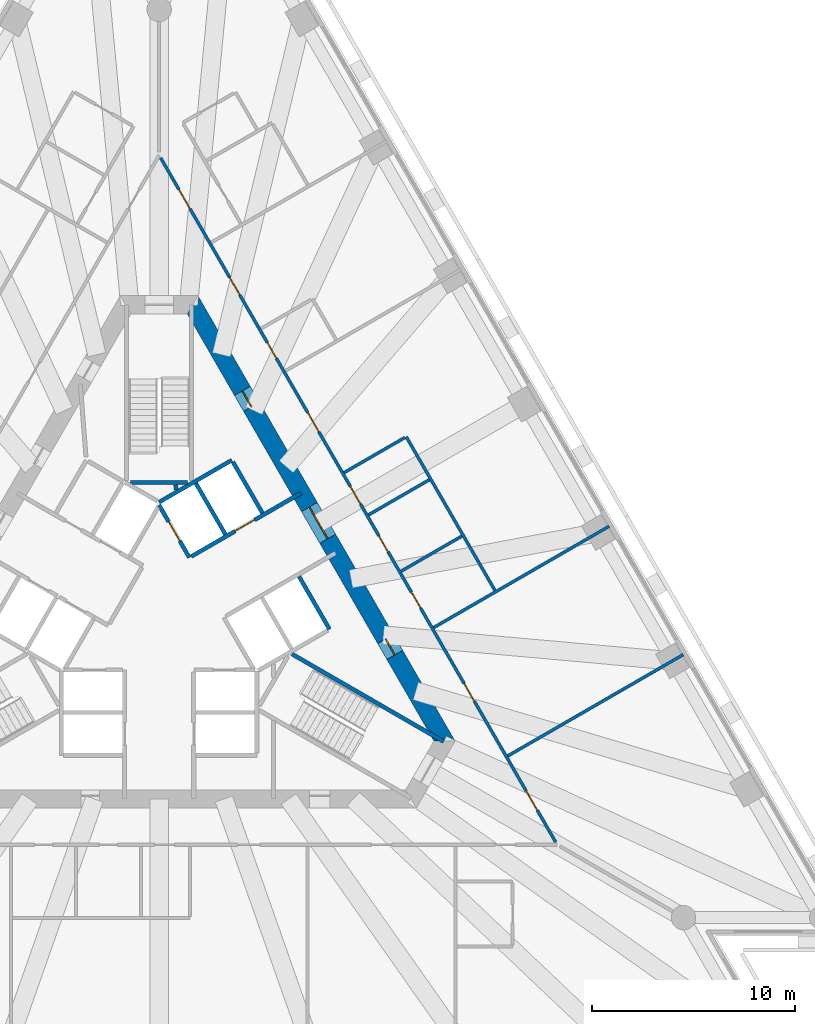
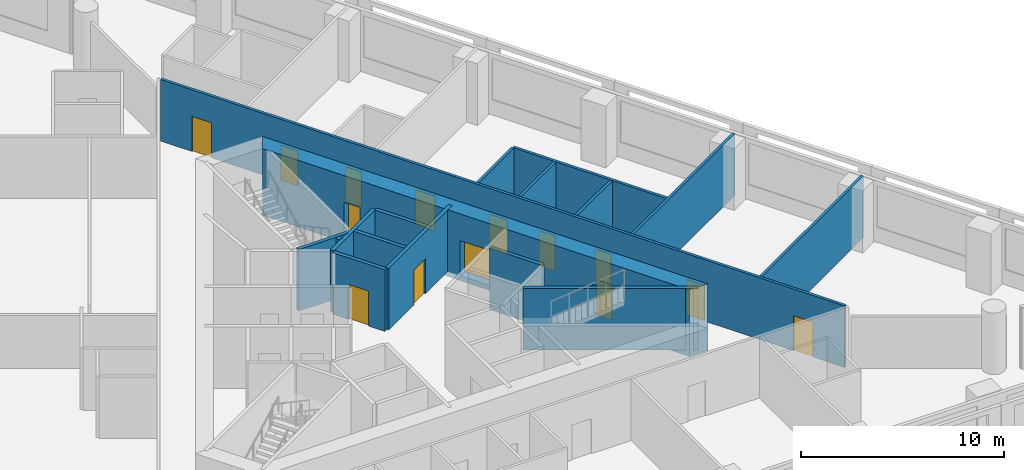
# One storey, part 6 of 11: 17 walls, 14 doors, 14 openings.
"""IFC4 building model written with IfcOpenShell, lengths in metres."""

from ifc_helpers import new_model, si_unit, direction, frame, frame_2d, origin, place, context, subcontext, project, spatial, polyline, rectangle, outline, extrude, material, layer, layer_set, type_object, element, fill, save


model = new_model("IFC4")

# Units and contexts
model_context = context("Model", 3, precision=1e-05, world=origin(), true_north=direction((0.0, 1.0)))
body_context = subcontext(model_context, "Body", "Model", "MODEL_VIEW")
ifc_project = project(units=[si_unit("LENGTHUNIT", "METRE"), si_unit("AREAUNIT", "SQUARE_METRE"), si_unit("VOLUMEUNIT", "CUBIC_METRE"), si_unit("PLANEANGLEUNIT", "RADIAN"), si_unit("MASSUNIT", "GRAM", prefix="KILO")], contexts=[model_context])

# Site, building, storey
site_placement = place(None, origin())
site = spatial("IfcSite", under=ifc_project, at=site_placement, CompositionType="ELEMENT")
building_placement = place(site_placement, origin())
building = spatial("IfcBuilding", under=site, at=building_placement, Name="Triada Interchange Tower", CompositionType="ELEMENT")
storey_placement = place(building_placement, frame((0.0, 0.0, 75.300048828125)))
storey = spatial("IfcBuildingStorey", under=building, at=storey_placement, Name="L16", CompositionType="ELEMENT", Elevation=75.300048828125)

# Wall
ifc_material_1 = material(Name="Concrete C30/37", Category="concrete")
ifc_layer_1 = layer(ifc_material_1, 0.199951171875)
ifc_layer_set_1 = layer_set([ifc_layer_1], Name="CORE WALL 200 EI 120")
wall_type_1 = type_object("IfcWallType", Name="CORE WALL 200 EI 120", PredefinedType="SOLIDWALL", material=ifc_layer_set_1)
wall_1_placement = place(storey_placement, frame((-0.001953125, 5.541015625, 0.0), z_axis=(0.0, 0.0, 1.0), x_axis=(0.86600155993, 0.500041296494, 0.0)))
element("IfcWall", 1, at=wall_1_placement, inside=storey, type_object=wall_type_1, Name="Wall L15 62", PredefinedType="SOLIDWALL", context=body_context, shape_type="SweptSolid", body=[
    extrude(rectangle(XDim=4.131591796875, YDim=0.199951171875, at=frame_2d((2.06591796875, 0.0))), origin(), (0.0, 0.0, 1.0), 3.699951171875),
])

# Wall, opening, door
wall_2_placement = place(storey_placement, frame((0.0, 5.39990234375, 0.0), z_axis=(0.0, 0.0, 1.0), x_axis=(0.500103862429, -0.865965430478, 0.0)))
wall_2 = element("IfcWall", 2, at=wall_2_placement, inside=storey, type_object=wall_type_1, Name="Wall L15 63", PredefinedType="SOLIDWALL", context=body_context, shape_type="SweptSolid", body=[
    extrude(rectangle(XDim=2.973388671875, YDim=0.199951171875, at=frame_2d((1.48681640625, 0.0))), origin(), (0.0, 0.0, 1.0), 3.699951171875),
])
opening_1_placement = place(wall_2_placement, frame((0.93701171875, 0.0, 0.0)))
opening_1 = element("IfcOpeningElement", 3, at=opening_1_placement, cuts=wall_2, Name="Opening LD-LR5", PredefinedType="OPENING", context=body_context, shape_type="SweptSolid", body=[
    extrude(rectangle(XDim=1.10009765625, YDim=2.10009765625, at=frame_2d((0.550048828125, 1.050048828125))), frame((0.0, 0.10986328125, 0.0), z_axis=(0.0, -1.0, 0.0), x_axis=(1.0, 0.0, 0.0)), (0.0, 0.0, 1.0), 0.219970703125),
])
ifc_material_2 = material(Name="Steel S235 door leaf", Category="steel")
door_type_1 = type_object("IfcDoorType", Name="LIFT LANDING DOOR 1100 EI 120", OperationType="SLIDING_TO_LEFT", PredefinedType="DOOR", material=ifc_material_2)
door_1_placement = place(opening_1_placement, origin())
door_1 = element("IfcDoor", 4, at=door_1_placement, inside=storey, type_object=door_type_1, Name="LR5 landing door L16", OperationType="SLIDING_TO_LEFT", OverallHeight=2.10009765625, OverallWidth=1.10009765625, PredefinedType="DOOR", context=body_context, shape_type="SweptSolid", body=[
    extrude(rectangle(XDim=1.10009765625, YDim=2.10009765625, at=frame_2d((0.550048828125, 1.050048828125))), frame((0.0, 0.02490234375, 0.0), z_axis=(0.0, -1.0, 0.0), x_axis=(1.0, 0.0, 0.0)), (0.0, 0.0, 1.0), 0.050048828125),
])
fill(opening_1, door_1)

wall_3_placement = place(storey_placement, frame((1.577880859375, 2.8740234375, 0.0), z_axis=(0.0, 0.0, 1.0), x_axis=(0.866031483044, 0.499989470266, 0.0)))
wall_3 = element("IfcWall", 5, at=wall_3_placement, inside=storey, type_object=wall_type_1, Name="Wall L15 65", PredefinedType="SOLIDWALL", context=body_context, shape_type="SweptSolid", body=[
    extrude(rectangle(XDim=6.226318359375, YDim=0.199951171875, at=frame_2d((3.11328125, 0.0))), origin(), (0.0, 0.0, 1.0), 3.699951171875),
])
opening_2_placement = place(wall_3_placement, frame((2.49609375, 0.0, 0.0)))
opening_2 = element("IfcOpeningElement", 6, at=opening_2_placement, cuts=wall_3, Name="Opening LD-LR6", PredefinedType="OPENING", context=body_context, shape_type="SweptSolid", body=[
    extrude(rectangle(XDim=1.10009765625, YDim=2.10009765625, at=frame_2d((0.550048828125, 1.050048828125))), frame((0.0, 0.10986328125, 0.0), z_axis=(0.0, -1.0, 0.0), x_axis=(1.0, 0.0, 0.0)), (0.0, 0.0, 1.0), 0.219970703125),
])
door_2_placement = place(opening_2_placement, origin())
door_2 = element("IfcDoor", 7, at=door_2_placement, inside=storey, type_object=door_type_1, Name="LR6 landing door L16", OperationType="SLIDING_TO_LEFT", OverallHeight=2.10009765625, OverallWidth=1.10009765625, PredefinedType="DOOR", context=body_context, shape_type="SweptSolid", body=[
    extrude(rectangle(XDim=1.10009765625, YDim=2.10009765625, at=frame_2d((0.550048828125, 1.050048828125))), frame((0.0, 0.02490234375, 0.0), z_axis=(0.0, -1.0, 0.0), x_axis=(1.0, 0.0, 0.0)), (0.0, 0.0, 1.0), 0.050048828125),
])
fill(opening_2, door_2)

# Walls
wall_4_placement = place(storey_placement, frame((3.6259765625, 7.52001953125, 0.0), z_axis=(0.0, 0.0, 1.0), x_axis=(0.500060147554, -0.865990674793, 0.0)))
element("IfcWall", 8, at=wall_4_placement, inside=storey, type_object=wall_type_1, Name="Wall L15 69", PredefinedType="SOLIDWALL", context=body_context, shape_type="SweptSolid", body=[
    extrude(rectangle(XDim=2.899658203125, YDim=0.199951171875, at=frame_2d((1.44970703125, 0.0))), origin(), (0.0, 0.0, 1.0), 3.699951171875),
])
wall_5_placement = place(storey_placement, frame((6.8759765625, 1.89111328125, 0.0), z_axis=(0.0, 0.0, 1.0), x_axis=(0.499990139034, -0.866031096941, 0.0)))
element("IfcWall", 9, at=wall_5_placement, inside=storey, type_object=wall_type_1, Name="Wall L15 70", PredefinedType="SOLIDWALL", context=body_context, shape_type="SweptSolid", body=[
    extrude(rectangle(XDim=3.0, YDim=0.199951171875, at=frame_2d((1.5, 0.0))), origin(), (0.0, 0.0, 1.0), 3.699951171875),
])
wall_6_placement = place(storey_placement, frame((1.806884765625, 6.469970703125, 0.0), z_axis=(0.0, 0.0, 1.0), x_axis=(0.50012328804, -0.865954211699, 0.0)))
element("IfcWall", 10, at=wall_6_placement, inside=storey, type_object=wall_type_1, Name="Wall L15 71", PredefinedType="SOLIDWALL", context=body_context, shape_type="SweptSolid", body=[
    extrude(rectangle(XDim=2.899658203125, YDim=0.199951171875, at=frame_2d((1.44970703125, 0.0))), origin(), (0.0, 0.0, 1.0), 3.699951171875),
])
ifc_layer_2 = layer(ifc_material_1, 0.199951171875)
ifc_layer_set_2 = layer_set([ifc_layer_2], Name="CORE WALL 200 EI 90")
wall_type_2 = type_object("IfcWallType", Name="CORE WALL 200 EI 90", PredefinedType="SOLIDWALL", material=ifc_layer_set_2)
wall_7_placement = place(storey_placement, frame((0.81103515625, 6.39990234375, 0.0), z_axis=(0.0, 0.0, 1.0), x_axis=(0.076199063602, -0.997092624938, 0.0)))
element("IfcWall", 11, at=wall_7_placement, inside=storey, type_object=wall_type_2, Name="Wall L15 90", PredefinedType="SOLIDWALL", context=body_context, shape_type="SweptSolid", body=[
    extrude(rectangle(XDim=0.2626953125, YDim=0.199951171875, at=frame_2d((0.13134765625, 0.0))), origin(), (0.0, 0.0, 1.0), 3.699951171875),
])
ifc_layer_3 = layer(ifc_material_1, 0.199951171875)
ifc_layer_set_3 = layer_set([ifc_layer_3], Name="CORE WALL 200 REI 240")
wall_type_3 = type_object("IfcWallType", Name="CORE WALL 200 REI 240", PredefinedType="SOLIDWALL", material=ifc_layer_set_3)
wall_8_placement = place(storey_placement, frame((-1.39990234375, 6.5, 0.0), z_axis=(0.0, 0.0, 1.0), x_axis=(1.0, 0.0, 0.0)))
element("IfcWall", 12, at=wall_8_placement, inside=storey, type_object=wall_type_3, Name="Wall L15 97", PredefinedType="SOLIDWALL", context=body_context, shape_type="SweptSolid", body=[
    extrude(rectangle(XDim=2.7998046875, YDim=0.199951171875, at=frame_2d((1.39990234375, 0.0))), origin(), (0.0, 0.0, 1.0), 3.699951171875),
])
wall_9_placement = place(storey_placement, frame((6.529052734375, -1.922119140625, 0.0), z_axis=(0.0, 0.0, 1.0), x_axis=(0.866060059011, -0.499939970583, 0.0)))
element("IfcWall", 13, at=wall_9_placement, inside=storey, type_object=wall_type_3, Name="Wall L15 101", PredefinedType="SOLIDWALL", context=body_context, shape_type="SweptSolid", body=[
    extrude(rectangle(XDim=8.61474609375, YDim=0.199951171875, at=frame_2d((4.307373046875, 0.0))), origin(), (0.0, 0.0, 1.0), 3.699951171875),
])

# Wall, openings, doors
ifc_material_3 = material(Name="Concrete C70/85", Category="concrete")
ifc_layer_4 = layer(ifc_material_3, 0.89990234375)
ifc_layer_set_4 = layer_set([ifc_layer_4], Name="Core wall A 900")
wall_type_4 = type_object("IfcWallType", Name="Core wall A 900", PredefinedType="SHEAR", material=ifc_layer_set_4)
wall_10_placement = place(storey_placement, frame((14.030029296875, -6.199951171875, -0.300048828125), z_axis=(0.0, 0.0, 1.0), x_axis=(-0.500026485275, 0.866010111964, 0.0)))
wall_10 = element("IfcWall", 14, at=wall_10_placement, inside=storey, type_object=wall_type_4, Name="Core wall WA06 L16", PredefinedType="SHEAR", context=body_context, shape_type="SweptSolid", body=[
    extrude(outline(polyline([(-0.260009765625, -0.448974609375), (1.685302734375, -0.448974609375), (3.63037109375, -0.44921875), (5.57568359375, -0.44921875), (7.52099609375, -0.44921875), (9.466064453125, -0.449462890625), (11.411376953125, -0.449462890625), (13.356689453125, -0.449462890625), (15.302001953125, -0.449462890625), (17.2470703125, -0.44970703125), (19.1923828125, -0.44970703125), (21.1376953125, -0.44970703125), (23.082763671875, -0.449951171875), (25.028076171875, -0.449951171875), (24.509033203125, 0.448974609375), (22.643798828125, 0.448974609375), (20.7783203125, 0.44921875), (18.9130859375, 0.44921875), (17.0478515625, 0.44921875), (15.182373046875, 0.449462890625), (13.317138671875, 0.449462890625), (11.451904296875, 0.449462890625), (9.586669921875, 0.449462890625), (7.72119140625, 0.44970703125), (5.85595703125, 0.44970703125), (3.99072265625, 0.44970703125), (2.125244140625, 0.449951171875), (0.260009765625, 0.449951171875), (-0.260009765625, -0.448974609375)])), origin(), (0.0, 0.0, 1.0), 4.0),
])
opening_3_placement = place(wall_10_placement, frame((11.48388671875, 0.0, 0.300048828125)))
opening_3 = element("IfcOpeningElement", 15, at=opening_3_placement, cuts=wall_10, Name="Opening D15-43", PredefinedType="OPENING", context=body_context, shape_type="SweptSolid", body=[
    extrude(rectangle(XDim=1.800048828125, YDim=2.10009765625, at=frame_2d((0.89990234375, 1.050048828125))), frame((0.0, 0.4599609375, 0.0), z_axis=(0.0, -1.0, 0.0), x_axis=(1.0, 0.0, 0.0)), (0.0, 0.0, 1.0), 0.919921875),
])
opening_4_placement = place(wall_10_placement, frame((4.89208984375, 0.0, 0.300048828125)))
opening_4 = element("IfcOpeningElement", 16, at=opening_4_placement, cuts=wall_10, Name="Opening D15-50", PredefinedType="OPENING", context=body_context, shape_type="SweptSolid", body=[
    extrude(rectangle(XDim=0.89990234375, YDim=2.10009765625, at=frame_2d((0.449951171875, 1.050048828125))), frame((0.0, 0.4599609375, 0.0), z_axis=(0.0, -1.0, 0.0), x_axis=(1.0, 0.0, 0.0)), (0.0, 0.0, 1.0), 0.919921875),
])
opening_5_placement = place(wall_10_placement, frame((18.97607421875, 0.0, 0.300048828125)))
opening_5 = element("IfcOpeningElement", 17, at=opening_5_placement, cuts=wall_10, Name="Opening D15-53", PredefinedType="OPENING", context=body_context, shape_type="SweptSolid", body=[
    extrude(rectangle(XDim=0.89990234375, YDim=2.10009765625, at=frame_2d((0.449951171875, 1.050048828125))), frame((0.0, 0.4599609375, 0.0), z_axis=(0.0, -1.0, 0.0), x_axis=(1.0, 0.0, 0.0)), (0.0, 0.0, 1.0), 0.919921875),
])
door_type_2 = type_object("IfcDoorType", Name="LOBBY DOOR 1800 EI2 90-C5S200", OperationType="DOUBLE_DOOR_SINGLE_SWING", PredefinedType="DOOR", material=ifc_material_2)
door_3_placement = place(opening_3_placement, origin())
door_3 = element("IfcDoor", 18, at=door_3_placement, inside=storey, type_object=door_type_2, Name="Door D15-43 L16", OperationType="DOUBLE_DOOR_SINGLE_SWING", OverallHeight=2.10009765625, OverallWidth=1.800048828125, PredefinedType="DOOR", context=body_context, shape_type="SweptSolid", body=[
    extrude(rectangle(XDim=1.800048828125, YDim=2.10009765625, at=frame_2d((0.89990234375, 1.050048828125))), frame((0.0, 0.02490234375, 0.0), z_axis=(0.0, -1.0, 0.0), x_axis=(1.0, 0.0, 0.0)), (0.0, 0.0, 1.0), 0.050048828125),
])
fill(opening_3, door_3)
door_type_3 = type_object("IfcDoorType", Name="SERVICE DOOR 900 EI2 45-C5S200", OperationType="NOTDEFINED", PredefinedType="DOOR", material=ifc_material_2)
door_4_placement = place(opening_4_placement, origin())
door_4 = element("IfcDoor", 19, at=door_4_placement, inside=storey, type_object=door_type_3, Name="Door D15-50 L16", OperationType="SINGLE_SWING_LEFT", OverallHeight=2.10009765625, OverallWidth=0.89990234375, PredefinedType="DOOR", context=body_context, shape_type="SweptSolid", body=[
    extrude(rectangle(XDim=0.89990234375, YDim=2.10009765625, at=frame_2d((0.449951171875, 1.050048828125))), frame((0.0, 0.02490234375, 0.0), z_axis=(0.0, -1.0, 0.0), x_axis=(1.0, 0.0, 0.0)), (0.0, 0.0, 1.0), 0.050048828125),
])
fill(opening_4, door_4)
door_5_placement = place(opening_5_placement, origin())
door_5 = element("IfcDoor", 20, at=door_5_placement, inside=storey, type_object=door_type_3, Name="Door D15-53 L16", OperationType="SINGLE_SWING_LEFT", OverallHeight=2.10009765625, OverallWidth=0.89990234375, PredefinedType="DOOR", context=body_context, shape_type="SweptSolid", body=[
    extrude(rectangle(XDim=0.89990234375, YDim=2.10009765625, at=frame_2d((0.449951171875, 1.050048828125))), frame((0.0, 0.02490234375, 0.0), z_axis=(0.0, -1.0, 0.0), x_axis=(1.0, 0.0, 0.0)), (0.0, 0.0, 1.0), 0.050048828125),
])
fill(opening_5, door_5)

ifc_material_4 = material(Name="Gypsum board partition")
ifc_layer_5 = layer(ifc_material_4, 0.14990234375)
ifc_layer_set_5 = layer_set([ifc_layer_5], Name="PARTITION 150 EI 180")
wall_type_5 = type_object("IfcWallType", Name="PARTITION 150 EI 180", PredefinedType="PARTITIONING", material=ifc_layer_set_5)
wall_11_placement = place(storey_placement, frame((0.074951171875, 22.469970703125, 0.0), z_axis=(0.0, 0.0, 1.0), x_axis=(0.500002280369, -0.866024087209, 0.0)))
wall_11 = element("IfcWall", 21, at=wall_11_placement, inside=storey, type_object=wall_type_5, Name="Wall L15 21", PredefinedType="PARTITIONING", context=body_context, shape_type="SweptSolid", body=[
    extrude(rectangle(XDim=38.843994140625, YDim=0.14990234375, at=frame_2d((19.421875, 0.0))), origin(), (0.0, 0.0, 1.0), 3.699951171875),
])
opening_6_placement = place(wall_11_placement, frame((35.944091796875, 0.0, 0.0)))
opening_6 = element("IfcOpeningElement", 22, at=opening_6_placement, cuts=wall_11, Name="Opening D15-23", PredefinedType="OPENING", context=body_context, shape_type="SweptSolid", body=[
    extrude(rectangle(XDim=1.10009765625, YDim=2.10009765625, at=frame_2d((0.550048828125, 1.050048828125))), frame((0.0, 0.0849609375, 0.0), z_axis=(0.0, -1.0, 0.0), x_axis=(1.0, 0.0, 0.0)), (0.0, 0.0, 1.0), 0.169921875),
])
opening_7_placement = place(wall_11_placement, frame((29.847900390625, 0.0, 0.0)))
opening_7 = element("IfcOpeningElement", 23, at=opening_7_placement, cuts=wall_11, Name="Opening D15-24", PredefinedType="OPENING", context=body_context, shape_type="SweptSolid", body=[
    extrude(rectangle(XDim=1.0, YDim=2.10009765625, at=frame_2d((0.5, 1.050048828125))), frame((0.0, 0.0849609375, 0.0), z_axis=(0.0, -1.0, 0.0), x_axis=(1.0, 0.0, 0.0)), (0.0, 0.0, 1.0), 0.169921875),
])
opening_8_placement = place(wall_11_placement, frame((14.4599609375, 0.0, 0.0)))
opening_8 = element("IfcOpeningElement", 24, at=opening_8_placement, cuts=wall_11, Name="Opening D15-25", PredefinedType="OPENING", context=body_context, shape_type="SweptSolid", body=[
    extrude(rectangle(XDim=1.10009765625, YDim=2.10009765625, at=frame_2d((0.550048828125, 1.050048828125))), frame((0.0, 0.0849609375, 0.0), z_axis=(0.0, -1.0, 0.0), x_axis=(1.0, 0.0, 0.0)), (0.0, 0.0, 1.0), 0.169921875),
])
opening_9_placement = place(wall_11_placement, frame((24.659912109375, 0.0, 0.0)))
opening_9 = element("IfcOpeningElement", 25, at=opening_9_placement, cuts=wall_11, Name="Opening D15-26", PredefinedType="OPENING", context=body_context, shape_type="SweptSolid", body=[
    extrude(rectangle(XDim=0.89990234375, YDim=2.10009765625, at=frame_2d((0.449951171875, 1.050048828125))), frame((0.0, 0.0849609375, 0.0), z_axis=(0.0, -1.0, 0.0), x_axis=(1.0, 0.0, 0.0)), (0.0, 0.0, 1.0), 0.169921875),
])
opening_10_placement = place(wall_11_placement, frame((21.4599609375, 0.0, 0.0)))
opening_10 = element("IfcOpeningElement", 26, at=opening_10_placement, cuts=wall_11, Name="Opening D15-27", PredefinedType="OPENING", context=body_context, shape_type="SweptSolid", body=[
    extrude(rectangle(XDim=0.89990234375, YDim=2.10009765625, at=frame_2d((0.449951171875, 1.050048828125))), frame((0.0, 0.0849609375, 0.0), z_axis=(0.0, -1.0, 0.0), x_axis=(1.0, 0.0, 0.0)), (0.0, 0.0, 1.0), 0.169921875),
])
opening_11_placement = place(wall_11_placement, frame((18.659912109375, 0.0, 0.0)))
opening_11 = element("IfcOpeningElement", 27, at=opening_11_placement, cuts=wall_11, Name="Opening D15-28", PredefinedType="OPENING", context=body_context, shape_type="SweptSolid", body=[
    extrude(rectangle(XDim=1.0, YDim=2.10009765625, at=frame_2d((0.5, 1.050048828125))), frame((0.0, 0.0849609375, 0.0), z_axis=(0.0, -1.0, 0.0), x_axis=(1.0, 0.0, 0.0)), (0.0, 0.0, 1.0), 0.169921875),
])
opening_12_placement = place(wall_11_placement, frame((6.784912109375, 0.0, 0.0)))
opening_12 = element("IfcOpeningElement", 28, at=opening_12_placement, cuts=wall_11, Name="Opening D15-29", PredefinedType="OPENING", context=body_context, shape_type="SweptSolid", body=[
    extrude(rectangle(XDim=1.0, YDim=2.10009765625, at=frame_2d((0.5, 1.050048828125))), frame((0.0, 0.0849609375, 0.0), z_axis=(0.0, -1.0, 0.0), x_axis=(1.0, 0.0, 0.0)), (0.0, 0.0, 1.0), 0.169921875),
])
opening_13_placement = place(wall_11_placement, frame((10.485107421875, 0.0, 0.0)))
opening_13 = element("IfcOpeningElement", 29, at=opening_13_placement, cuts=wall_11, Name="Opening D15-30", PredefinedType="OPENING", context=body_context, shape_type="SweptSolid", body=[
    extrude(rectangle(XDim=0.89990234375, YDim=2.10009765625, at=frame_2d((0.449951171875, 1.050048828125))), frame((0.0, 0.0849609375, 0.0), z_axis=(0.0, -1.0, 0.0), x_axis=(1.0, 0.0, 0.0)), (0.0, 0.0, 1.0), 0.169921875),
])
opening_14_placement = place(wall_11_placement, frame((1.7958984375, 0.0, 0.0)))
opening_14 = element("IfcOpeningElement", 30, at=opening_14_placement, cuts=wall_11, Name="Opening D15-31", PredefinedType="OPENING", context=body_context, shape_type="SweptSolid", body=[
    extrude(rectangle(XDim=1.10009765625, YDim=2.10009765625, at=frame_2d((0.550048828125, 1.050048828125))), frame((0.0, 0.0849609375, 0.0), z_axis=(0.0, -1.0, 0.0), x_axis=(1.0, 0.0, 0.0)), (0.0, 0.0, 1.0), 0.169921875),
])
door_type_4 = type_object("IfcDoorType", Name="ROOM DOOR 1000 EI2 90-C5S200", OperationType="NOTDEFINED", PredefinedType="DOOR", material=ifc_material_2)
door_6_placement = place(opening_7_placement, origin())
door_6 = element("IfcDoor", 31, at=door_6_placement, inside=storey, type_object=door_type_4, Name="Door D15-24 L16", OperationType="SINGLE_SWING_RIGHT", OverallHeight=2.10009765625, OverallWidth=1.0, PredefinedType="DOOR", context=body_context, shape_type="SweptSolid", body=[
    extrude(rectangle(XDim=1.0, YDim=2.10009765625, at=frame_2d((0.5, 1.050048828125))), frame((0.0, 0.02490234375, 0.0), z_axis=(0.0, -1.0, 0.0), x_axis=(1.0, 0.0, 0.0)), (0.0, 0.0, 1.0), 0.050048828125),
])
fill(opening_7, door_6)
door_7_placement = place(opening_11_placement, origin())
door_7 = element("IfcDoor", 32, at=door_7_placement, inside=storey, type_object=door_type_4, Name="Door D15-28 L16", OperationType="SINGLE_SWING_LEFT", OverallHeight=2.10009765625, OverallWidth=1.0, PredefinedType="DOOR", context=body_context, shape_type="SweptSolid", body=[
    extrude(rectangle(XDim=1.0, YDim=2.10009765625, at=frame_2d((0.5, 1.050048828125))), frame((0.0, 0.02490234375, 0.0), z_axis=(0.0, -1.0, 0.0), x_axis=(1.0, 0.0, 0.0)), (0.0, 0.0, 1.0), 0.050048828125),
])
fill(opening_11, door_7)
door_8_placement = place(opening_12_placement, origin())
door_8 = element("IfcDoor", 33, at=door_8_placement, inside=storey, type_object=door_type_4, Name="Door D15-29 L16", OperationType="SINGLE_SWING_RIGHT", OverallHeight=2.10009765625, OverallWidth=1.0, PredefinedType="DOOR", context=body_context, shape_type="SweptSolid", body=[
    extrude(rectangle(XDim=1.0, YDim=2.10009765625, at=frame_2d((0.5, 1.050048828125))), frame((0.0, 0.02490234375, 0.0), z_axis=(0.0, -1.0, 0.0), x_axis=(1.0, 0.0, 0.0)), (0.0, 0.0, 1.0), 0.050048828125),
])
fill(opening_12, door_8)
door_type_5 = type_object("IfcDoorType", Name="ROOM DOOR 900 EI2 90-C5S200", OperationType="NOTDEFINED", PredefinedType="DOOR", material=ifc_material_2)
door_9_placement = place(opening_9_placement, origin())
door_9 = element("IfcDoor", 34, at=door_9_placement, inside=storey, type_object=door_type_5, Name="Door D15-26 L16", OperationType="SINGLE_SWING_LEFT", OverallHeight=2.10009765625, OverallWidth=0.89990234375, PredefinedType="DOOR", context=body_context, shape_type="SweptSolid", body=[
    extrude(rectangle(XDim=0.89990234375, YDim=2.10009765625, at=frame_2d((0.449951171875, 1.050048828125))), frame((0.0, 0.02490234375, 0.0), z_axis=(0.0, -1.0, 0.0), x_axis=(1.0, 0.0, 0.0)), (0.0, 0.0, 1.0), 0.050048828125),
])
fill(opening_9, door_9)
door_10_placement = place(opening_10_placement, origin())
door_10 = element("IfcDoor", 35, at=door_10_placement, inside=storey, type_object=door_type_5, Name="Door D15-27 L16", OperationType="SINGLE_SWING_LEFT", OverallHeight=2.10009765625, OverallWidth=0.89990234375, PredefinedType="DOOR", context=body_context, shape_type="SweptSolid", body=[
    extrude(rectangle(XDim=0.89990234375, YDim=2.10009765625, at=frame_2d((0.449951171875, 1.050048828125))), frame((0.0, 0.02490234375, 0.0), z_axis=(0.0, -1.0, 0.0), x_axis=(1.0, 0.0, 0.0)), (0.0, 0.0, 1.0), 0.050048828125),
])
fill(opening_10, door_10)
door_type_6 = type_object("IfcDoorType", Name="SERVICE DOOR 900 EI2 90-C5S200", OperationType="NOTDEFINED", PredefinedType="DOOR", material=ifc_material_2)
door_11_placement = place(opening_13_placement, origin())
door_11 = element("IfcDoor", 36, at=door_11_placement, inside=storey, type_object=door_type_6, Name="Door D15-30 L16", OperationType="SINGLE_SWING_LEFT", OverallHeight=2.10009765625, OverallWidth=0.89990234375, PredefinedType="DOOR", context=body_context, shape_type="SweptSolid", body=[
    extrude(rectangle(XDim=0.89990234375, YDim=2.10009765625, at=frame_2d((0.449951171875, 1.050048828125))), frame((0.0, 0.02490234375, 0.0), z_axis=(0.0, -1.0, 0.0), x_axis=(1.0, 0.0, 0.0)), (0.0, 0.0, 1.0), 0.050048828125),
])
fill(opening_13, door_11)
door_type_7 = type_object("IfcDoorType", Name="TENANCY ENTRANCE DOOR 1100 EI2 90-C5S200", OperationType="NOTDEFINED", PredefinedType="DOOR", material=ifc_material_2)
door_12_placement = place(opening_6_placement, origin())
door_12 = element("IfcDoor", 37, at=door_12_placement, inside=storey, type_object=door_type_7, Name="Door D15-23 L16", OperationType="SINGLE_SWING_RIGHT", OverallHeight=2.10009765625, OverallWidth=1.10009765625, PredefinedType="DOOR", context=body_context, shape_type="SweptSolid", body=[
    extrude(rectangle(XDim=1.10009765625, YDim=2.10009765625, at=frame_2d((0.550048828125, 1.050048828125))), frame((0.0, 0.02490234375, 0.0), z_axis=(0.0, -1.0, 0.0), x_axis=(1.0, 0.0, 0.0)), (0.0, 0.0, 1.0), 0.050048828125),
])
fill(opening_6, door_12)
door_13_placement = place(opening_8_placement, origin())
door_13 = element("IfcDoor", 38, at=door_13_placement, inside=storey, type_object=door_type_7, Name="Door D15-25 L16", OperationType="SINGLE_SWING_RIGHT", OverallHeight=2.10009765625, OverallWidth=1.10009765625, PredefinedType="DOOR", context=body_context, shape_type="SweptSolid", body=[
    extrude(rectangle(XDim=1.10009765625, YDim=2.10009765625, at=frame_2d((0.550048828125, 1.050048828125))), frame((0.0, 0.02490234375, 0.0), z_axis=(0.0, -1.0, 0.0), x_axis=(1.0, 0.0, 0.0)), (0.0, 0.0, 1.0), 0.050048828125),
])
fill(opening_8, door_13)
door_14_placement = place(opening_14_placement, origin())
door_14 = element("IfcDoor", 39, at=door_14_placement, inside=storey, type_object=door_type_7, Name="Door D15-31 L16", OperationType="SINGLE_SWING_LEFT", OverallHeight=2.10009765625, OverallWidth=1.10009765625, PredefinedType="DOOR", context=body_context, shape_type="SweptSolid", body=[
    extrude(rectangle(XDim=1.10009765625, YDim=2.10009765625, at=frame_2d((0.550048828125, 1.050048828125))), frame((0.0, 0.02490234375, 0.0), z_axis=(0.0, -1.0, 0.0), x_axis=(1.0, 0.0, 0.0)), (0.0, 0.0, 1.0), 0.050048828125),
])
fill(opening_14, door_14)

# Walls
wall_12_placement = place(storey_placement, frame((12.14794921875, 8.760009765625, 0.0), z_axis=(0.0, 0.0, 1.0), x_axis=(0.499970334739, -0.866042530354, 0.0)))
element("IfcWall", 40, at=wall_12_placement, inside=storey, type_object=wall_type_5, Name="Wall L15 27", PredefinedType="PARTITIONING", context=body_context, shape_type="SweptSolid", body=[
    extrude(rectangle(XDim=8.724609375, YDim=0.14990234375, at=frame_2d((4.3623046875, 0.0))), origin(), (0.0, 0.0, 1.0), 3.699951171875),
])
for number, where, z_axis, x_axis, name in (
    (41, (9.094970703125, 6.9970703125, 0.0), (0.0, 0.0, 1.0), (0.866061862632, 0.499936846106, 0.0), "Wall L15 28"),
    (42, (10.294921875, 4.9189453125, 0.0), (0.0, 0.0, 1.0), (0.866031223622, 0.49998991961, 0.0), "Wall L15 29"),
    (43, (11.89501953125, 2.14794921875, 0.0), (0.0, 0.0, 1.0), (0.866031223622, 0.49998991961, 0.0), "Wall L15 30"),
):
    element("IfcWall", number, at=place(storey_placement, frame(where, z_axis=z_axis, x_axis=x_axis)), inside=storey, type_object=wall_type_5, Name=name, PredefinedType="PARTITIONING", context=body_context, shape_type="SweptSolid", body=[
        extrude(rectangle(XDim=3.4501953125, YDim=0.14990234375, at=frame_2d((1.72509765625, 0.0))), origin(), (0.0, 0.0, 1.0), 3.699951171875),
    ])
wall_13_placement = place(storey_placement, frame((13.4951171875, -0.6240234375, 0.0), z_axis=(0.0, 0.0, 1.0), x_axis=(0.866002028202, 0.500040485511, 0.0)))
element("IfcWall", 44, at=wall_13_placement, inside=storey, type_object=wall_type_5, Name="Wall L15 31", PredefinedType="PARTITIONING", context=body_context, shape_type="SweptSolid", body=[
    extrude(rectangle(XDim=9.967529296875, YDim=0.14990234375, at=frame_2d((4.98388671875, 0.0))), origin(), (0.0, 0.0, 1.0), 3.699951171875),
])
wall_14_placement = place(storey_placement, frame((17.138916015625, -6.93603515625, 0.0), z_axis=(0.0, 0.0, 1.0), x_axis=(0.866008152443, 0.500029879009, 0.0)))
element("IfcWall", 45, at=wall_14_placement, inside=storey, type_object=wall_type_5, Name="Wall L15 33", PredefinedType="PARTITIONING", context=body_context, shape_type="SweptSolid", body=[
    extrude(rectangle(XDim=9.9677734375, YDim=0.14990234375, at=frame_2d((4.98388671875, 0.0))), origin(), (0.0, 0.0, 1.0), 3.699951171875),
])

save(model, "model.ifc")
